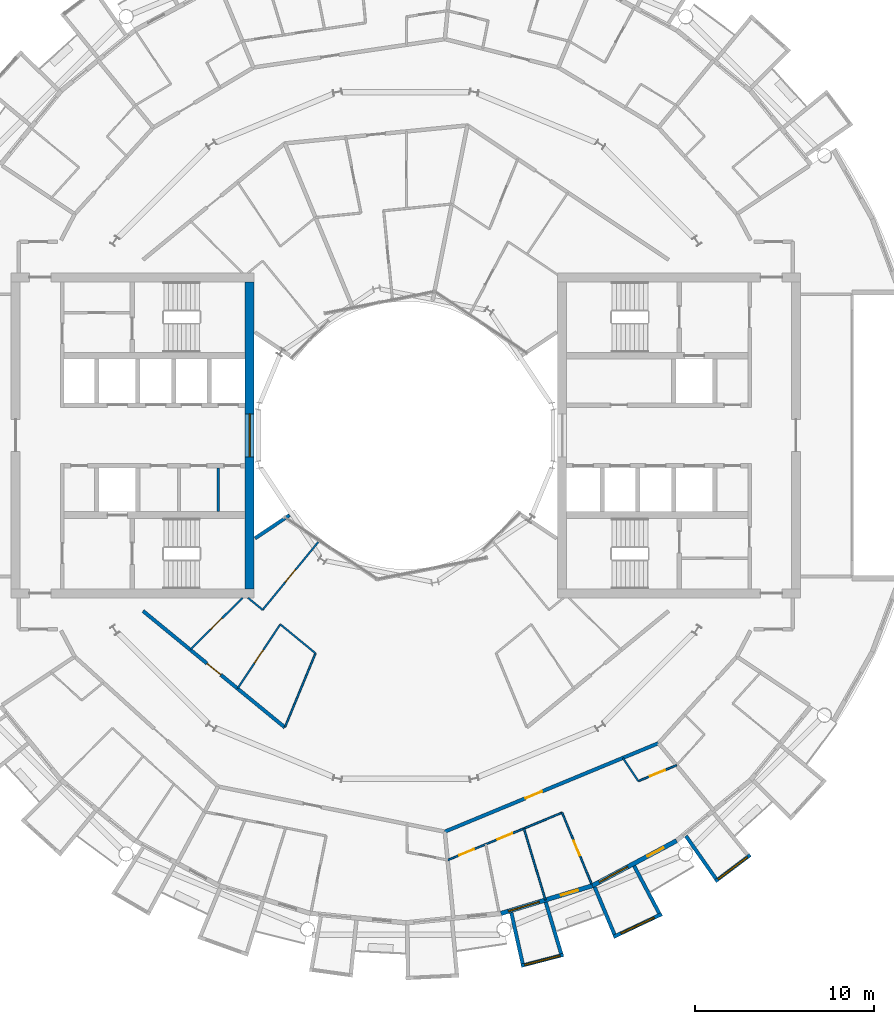
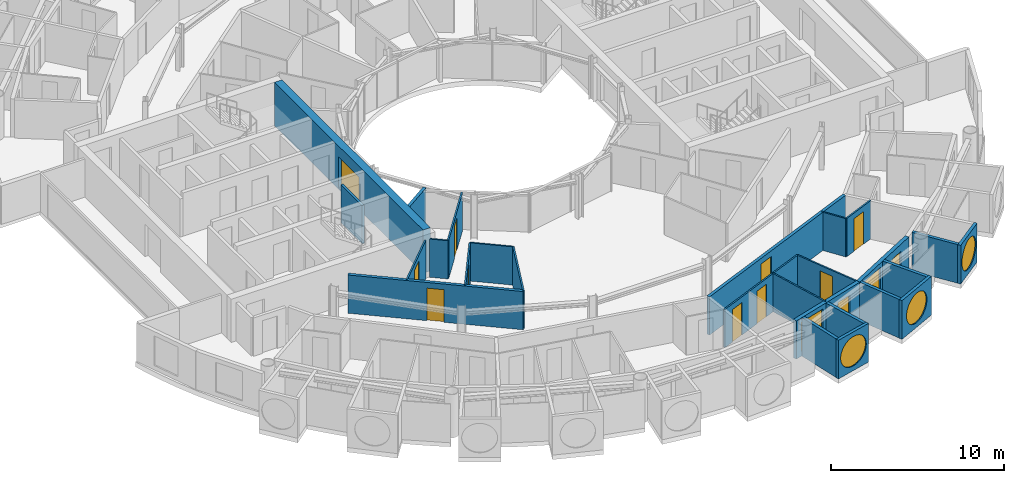
# One storey, part 16 of 27: 26 walls, 11 doors, 6 windows, 17 openings.
"""IFC4 building model written with IfcOpenShell, lengths in metres."""

from ifc_helpers import new_model, si_unit, direction, frame, frame_2d, origin, place, context, subcontext, project, spatial, rectangle, circle, extrude, material, layer, layer_set, type_object, element, fill, save


model = new_model("IFC4")

# Units and contexts
model_context = context("Model", 3, precision=1e-05, world=origin(), true_north=direction((0.0, 1.0)))
body_context = subcontext(model_context, "Body", "Model", "MODEL_VIEW")
ifc_project = project(units=[si_unit("LENGTHUNIT", "METRE"), si_unit("AREAUNIT", "SQUARE_METRE"), si_unit("VOLUMEUNIT", "CUBIC_METRE"), si_unit("PLANEANGLEUNIT", "RADIAN"), si_unit("MASSUNIT", "GRAM", prefix="KILO")], contexts=[model_context])

# Site, building, storey
site_placement = place(None, origin())
site = spatial("IfcSite", under=ifc_project, at=site_placement, CompositionType="ELEMENT")
building_placement = place(site_placement, origin())
building = spatial("IfcBuilding", under=site, at=building_placement, Name="Maasbend Ring Residences", CompositionType="ELEMENT")
storey_placement = place(building_placement, frame((0.0, 0.0, 148.25)))
storey = spatial("IfcBuildingStorey", under=building, at=storey_placement, Name="L42", CompositionType="ELEMENT", Elevation=148.25)

# Wall, opening, window
ifc_material_1 = material(Name="Concrete C60/75", Category="concrete")
ifc_layer_1 = layer(ifc_material_1, 0.5)
ifc_layer_set_1 = layer_set([ifc_layer_1], Name="Concrete C60/75")
wall_type_1 = type_object("IfcWallType", Name="CORE WALL 500 C60/75", PredefinedType="SHEAR", material=ifc_layer_set_1)
wall_1_placement = place(storey_placement, frame((-8.75, 8.60009765625, 0.0), z_axis=(0.0, 0.0, 1.0), x_axis=(0.0, -1.0, 0.0)))
wall_1 = element("IfcWall", 1, at=wall_1_placement, inside=storey, type_object=wall_type_1, Name="L42 core W wall PIN", PredefinedType="SHEAR", context=body_context, shape_type="SweptSolid", body=[
    extrude(rectangle(XDim=17.2001953125, YDim=0.5, at=frame_2d((8.60009765625, 0.0))), origin(), (0.0, 0.0, 1.0), 3.050048828125),
])
opening_1_placement = place(wall_1_placement, frame((7.39990234375, 0.0, 0.10009765625)))
opening_1 = element("IfcOpeningElement", 2, at=opening_1_placement, cuts=wall_1, Name="Opening W-W4201", PredefinedType="OPENING", context=body_context, shape_type="SweptSolid", body=[
    extrude(rectangle(XDim=2.39990234375, YDim=2.199951171875, at=frame_2d((1.199951171875, 1.10009765625))), frame((0.0, 0.260009765625, 0.0), z_axis=(0.0, -1.0, 0.0), x_axis=(1.0, 0.0, 0.0)), (0.0, 0.0, 1.0), 0.52001953125),
])
ifc_material_2 = material(Name="Aluminium frame and clear glass", Category="aluminium")
window_type_1 = type_object("IfcWindowType", Name="FIXED WINDOW 2400 X 2200", PartitioningType="SINGLE_PANEL", PredefinedType="WINDOW", material=ifc_material_2)
window_1_placement = place(opening_1_placement, origin())
window_1 = element("IfcWindow", 3, at=window_1_placement, inside=storey, type_object=window_type_1, Name="Lobby window L42", OverallHeight=2.199951171875, OverallWidth=2.39990234375, PartitioningType="SINGLE_PANEL", PredefinedType="WINDOW", context=body_context, shape_type="SweptSolid", body=[
    extrude(rectangle(XDim=2.39990234375, YDim=2.199951171875, at=frame_2d((1.199951171875, 1.10009765625))), frame((0.0, 0.030029296875, 0.0), z_axis=(0.0, -1.0, 0.0), x_axis=(1.0, 0.0, 0.0)), (0.0, 0.0, 1.0), 0.06005859375),
])
fill(opening_1, window_1)

# Wall, opening, door
ifc_material_3 = material(Name="Concrete C30/37", Category="concrete")
ifc_layer_2 = layer(ifc_material_3, 0.199951171875)
ifc_layer_set_2 = layer_set([ifc_layer_2], Name="Concrete C30/37")
wall_type_2 = type_object("IfcWallType", Name="CORRIDOR WALL 200 CONCRETE", PredefinedType="PARTITIONING", material=ifc_layer_set_2)
wall_2_placement = place(storey_placement, frame((2.18603515625, -22.193115234375, 0.0), z_axis=(0.0, 0.0, 1.0), x_axis=(0.923860535822, 0.382729291212, 0.0)))
wall_2 = element("IfcWall", 4, at=wall_2_placement, inside=storey, type_object=wall_type_2, Name="U-L42-w016", PredefinedType="PARTITIONING", context=body_context, shape_type="SweptSolid", body=[
    extrude(rectangle(XDim=12.94677734375, YDim=0.199951171875, at=frame_2d((6.473388671875, 0.0))), origin(), (0.0, 0.0, 1.0), 2.699951171875),
])
opening_2_placement = place(wall_2_placement, frame((4.89404296875, 0.0, 0.0)))
opening_2 = element("IfcOpeningElement", 5, at=opening_2_placement, cuts=wall_2, Name="Opening D-4243", PredefinedType="OPENING", context=body_context, shape_type="SweptSolid", body=[
    extrude(rectangle(XDim=1.0, YDim=2.300048828125, at=frame_2d((0.5, 1.14990234375))), frame((0.0, 0.10986328125, 0.0), z_axis=(0.0, -1.0, 0.0), x_axis=(1.0, 0.0, 0.0)), (0.0, 0.0, 1.0), 0.219970703125),
])
ifc_material_4 = material(Name="Timber, fire-rated, painted", Category="wood")
door_type_1 = type_object("IfcDoorType", Name="FLAT ENTRANCE DOOR 1000 X 2300 FIRE-RATED", OperationType="NOTDEFINED", PredefinedType="DOOR", material=ifc_material_4)
door_1_placement = place(opening_2_placement, origin())
door_1 = element("IfcDoor", 6, at=door_1_placement, inside=storey, type_object=door_type_1, Name="D-4243", OperationType="SINGLE_SWING_LEFT", OverallHeight=2.300048828125, OverallWidth=1.0, PredefinedType="DOOR", context=body_context, shape_type="SweptSolid", body=[
    extrude(rectangle(XDim=1.0, YDim=2.300048828125, at=frame_2d((0.5, 1.14990234375))), frame((0.0, 0.02490234375, 0.0), z_axis=(0.0, -1.0, 0.0), x_axis=(1.0, 0.0, 0.0)), (0.0, 0.0, 1.0), 0.050048828125),
])
fill(opening_2, door_1)

wall_3_placement = place(storey_placement, frame((-14.717041015625, -9.833984375, 0.0), z_axis=(0.0, 0.0, 1.0), x_axis=(0.773034536097, -0.634363938131, 0.0)))
wall_3 = element("IfcWall", 7, at=wall_3_placement, inside=storey, type_object=wall_type_2, Name="U-L42-w017", PredefinedType="PARTITIONING", context=body_context, shape_type="SweptSolid", body=[
    extrude(rectangle(XDim=10.276611328125, YDim=0.199951171875, at=frame_2d((5.13818359375, 0.0))), origin(), (0.0, 0.0, 1.0), 2.699951171875),
])
opening_3_placement = place(wall_3_placement, frame((4.637939453125, 0.0, 0.0)))
opening_3 = element("IfcOpeningElement", 8, at=opening_3_placement, cuts=wall_3, Name="Opening D-4251", PredefinedType="OPENING", context=body_context, shape_type="SweptSolid", body=[
    extrude(rectangle(XDim=1.0, YDim=2.300048828125, at=frame_2d((0.5, 1.14990234375))), frame((0.0, 0.10986328125, 0.0), z_axis=(0.0, -1.0, 0.0), x_axis=(1.0, 0.0, 0.0)), (0.0, 0.0, 1.0), 0.219970703125),
])
door_2_placement = place(opening_3_placement, origin())
door_2 = element("IfcDoor", 9, at=door_2_placement, inside=storey, type_object=door_type_1, Name="D-4251", OperationType="SINGLE_SWING_LEFT", OverallHeight=2.300048828125, OverallWidth=1.0, PredefinedType="DOOR", context=body_context, shape_type="SweptSolid", body=[
    extrude(rectangle(XDim=1.0, YDim=2.300048828125, at=frame_2d((0.5, 1.14990234375))), frame((0.0, 0.02490234375, 0.0), z_axis=(0.0, -1.0, 0.0), x_axis=(1.0, 0.0, 0.0)), (0.0, 0.0, 1.0), 0.050048828125),
])
fill(opening_3, door_2)

# Wall, opening, window
ifc_material_5 = material(Name="Pale anodised aluminium panel", Category="aluminium")
ifc_layer_3 = layer(ifc_material_5, 0.199951171875)
ifc_layer_set_3 = layer_set([ifc_layer_3], Name="EW-BOX")
wall_type_3 = type_object("IfcWallType", Name="EW-BOX", PredefinedType="SOLIDWALL", material=ifc_layer_set_3)
wall_4_placement = place(storey_placement, frame((6.4609375, -29.705078125, -0.030029296875), z_axis=(0.0, 0.0, 1.0), x_axis=(0.96789536872, 0.251353446784, 0.0)))
wall_4 = element("IfcWall", 10, at=wall_4_placement, inside=storey, type_object=wall_type_3, Name="Box front S13", PredefinedType="SOLIDWALL", context=body_context, shape_type="SweptSolid", body=[
    extrude(rectangle(XDim=2.44677734375, YDim=0.199951171875, at=frame_2d((1.223388671875, 0.0))), origin(), (0.0, 0.0, 1.0), 2.72998046875),
])
opening_4_placement = place(wall_4_placement, frame((0.182861328125, 0.0, 0.330078125)))
opening_4 = element("IfcOpeningElement", 11, at=opening_4_placement, cuts=wall_4, Name="Opening W-RD", PredefinedType="OPENING", context=body_context, shape_type="SweptSolid", body=[
    extrude(circle(Radius=1.0400390625, at=frame_2d((1.0400390625, 1.0400390625))), frame((0.0, 0.10986328125, 0.0), z_axis=(0.0, -1.0, 0.0), x_axis=(1.0, 0.0, 0.0)), (0.0, 0.0, 1.0), 0.219970703125),
])
ifc_material_6 = material(Name="Aluminium and clear glass", Category="aluminium")
window_type_2 = type_object("IfcWindowType", Name="W-RD", PartitioningType="SINGLE_PANEL", PredefinedType="WINDOW", material=ifc_material_6)
window_2_placement = place(opening_4_placement, origin())
window_2 = element("IfcWindow", 12, at=window_2_placement, inside=storey, type_object=window_type_2, Name="Round window S13", OverallHeight=2.080078125, OverallWidth=2.080078125, PartitioningType="SINGLE_PANEL", PredefinedType="WINDOW", context=body_context, shape_type="SweptSolid", body=[
    extrude(circle(Radius=1.0400390625, at=frame_2d((1.0400390625, 1.0400390625))), frame((0.0, 0.030029296875, 0.0), z_axis=(0.0, -1.0, 0.0), x_axis=(1.0, 0.0, 0.0)), (0.0, 0.0, 1.0), 0.06005859375),
])
fill(opening_4, window_2)

# Walls
wall_5_placement = place(storey_placement, frame((5.908935546875, -26.72900390625, -0.030029296875), z_axis=(0.0, 0.0, 1.0), x_axis=(0.216409053917, -0.976302781612, 0.0)))
element("IfcWall", 13, at=wall_5_placement, inside=storey, type_object=wall_type_3, Name="Box side wall S13 left", PredefinedType="SOLIDWALL", context=body_context, shape_type="SweptSolid", body=[
    extrude(rectangle(XDim=2.92529296875, YDim=0.199951171875, at=frame_2d((1.462646484375, 0.0))), origin(), (0.0, 0.0, 1.0), 2.72998046875),
])
wall_6_placement = place(storey_placement, frame((7.8369140625, -26.14404296875, -0.030029296875), z_axis=(0.0, 0.0, 1.0), x_axis=(0.287064767992, -0.957911174889, 0.0)))
element("IfcWall", 14, at=wall_6_placement, inside=storey, type_object=wall_type_3, Name="Box side wall S13 right", PredefinedType="SOLIDWALL", context=body_context, shape_type="SweptSolid", body=[
    extrude(rectangle(XDim=3.00634765625, YDim=0.199951171875, at=frame_2d((1.503173828125, 0.0))), origin(), (0.0, 0.0, 1.0), 2.72998046875),
])

# Wall, opening, window
wall_7_placement = place(storey_placement, frame((11.62890625, -28.087890625, -0.030029296875), z_axis=(0.0, 0.0, 1.0), x_axis=(0.904000060331, 0.427532327342, 0.0)))
wall_7 = element("IfcWall", 15, at=wall_7_placement, inside=storey, type_object=wall_type_3, Name="Box front S15", PredefinedType="SOLIDWALL", context=body_context, shape_type="SweptSolid", body=[
    extrude(rectangle(XDim=2.993408203125, YDim=0.199951171875, at=frame_2d((1.49658203125, 0.0))), origin(), (0.0, 0.0, 1.0), 2.72998046875),
])
opening_5_placement = place(wall_7_placement, frame((0.45654296875, 0.0, 0.330078125)))
opening_5 = element("IfcOpeningElement", 16, at=opening_5_placement, cuts=wall_7, Name="Opening W-RD", PredefinedType="OPENING", context=body_context, shape_type="SweptSolid", body=[
    extrude(circle(Radius=1.0400390625, at=frame_2d((1.0400390625, 1.0400390625))), frame((0.0, 0.10986328125, 0.0), z_axis=(0.0, -1.0, 0.0), x_axis=(1.0, 0.0, 0.0)), (0.0, 0.0, 1.0), 0.219970703125),
])
window_3_placement = place(opening_5_placement, origin())
window_3 = element("IfcWindow", 17, at=window_3_placement, inside=storey, type_object=window_type_2, Name="Round window S15", OverallHeight=2.080078125, OverallWidth=2.080078125, PartitioningType="SINGLE_PANEL", PredefinedType="WINDOW", context=body_context, shape_type="SweptSolid", body=[
    extrude(circle(Radius=1.0400390625, at=frame_2d((1.0400390625, 1.0400390625))), frame((0.0, 0.030029296875, 0.0), z_axis=(0.0, -1.0, 0.0), x_axis=(1.0, 0.0, 0.0)), (0.0, 0.0, 1.0), 0.06005859375),
])
fill(opening_5, window_3)

# Walls
wall_8_placement = place(storey_placement, frame((10.574951171875, -25.294921875, -0.030029296875), z_axis=(0.0, 0.0, 1.0), x_axis=(0.385697364644, -0.922625353492, 0.0)))
element("IfcWall", 18, at=wall_8_placement, inside=storey, type_object=wall_type_3, Name="Box side wall S15 left", PredefinedType="SOLIDWALL", context=body_context, shape_type="SweptSolid", body=[
    extrude(rectangle(XDim=2.88330078125, YDim=0.199951171875, at=frame_2d((1.441650390625, 0.0))), origin(), (0.0, 0.0, 1.0), 2.72998046875),
])
wall_9_placement = place(storey_placement, frame((12.787109375, -24.113037109375, -0.030029296875), z_axis=(0.0, 0.0, 1.0), x_axis=(0.468365282436, -0.883534924159, 0.0)))
element("IfcWall", 19, at=wall_9_placement, inside=storey, type_object=wall_type_3, Name="Box side wall S15 right", PredefinedType="SOLIDWALL", context=body_context, shape_type="SweptSolid", body=[
    extrude(rectangle(XDim=3.006103515625, YDim=0.199951171875, at=frame_2d((1.5029296875, 0.0))), origin(), (0.0, 0.0, 1.0), 2.72998046875),
])

# Wall, opening, window
wall_10_placement = place(storey_placement, frame((17.3369140625, -24.971923828125, -0.030029296875), z_axis=(0.0, 0.0, 1.0), x_axis=(0.797887588059, 0.602806268067, 0.0)))
wall_10 = element("IfcWall", 20, at=wall_10_placement, inside=storey, type_object=wall_type_3, Name="Box front S17", PredefinedType="SOLIDWALL", context=body_context, shape_type="SweptSolid", body=[
    extrude(rectangle(XDim=2.446533203125, YDim=0.199951171875, at=frame_2d((1.22314453125, 0.0))), origin(), (0.0, 0.0, 1.0), 2.72998046875),
])
opening_6_placement = place(wall_10_placement, frame((0.182861328125, 0.0, 0.330078125)))
opening_6 = element("IfcOpeningElement", 21, at=opening_6_placement, cuts=wall_10, Name="Opening W-RD", PredefinedType="OPENING", context=body_context, shape_type="SweptSolid", body=[
    extrude(circle(Radius=1.0400390625, at=frame_2d((1.0400390625, 1.0400390625))), frame((0.0, 0.10986328125, 0.0), z_axis=(0.0, -1.0, 0.0), x_axis=(1.0, 0.0, 0.0)), (0.0, 0.0, 1.0), 0.219970703125),
])
window_4_placement = place(opening_6_placement, origin())
window_4 = element("IfcWindow", 22, at=window_4_placement, inside=storey, type_object=window_type_2, Name="Round window S17", OverallHeight=2.080078125, OverallWidth=2.080078125, PartitioningType="SINGLE_PANEL", PredefinedType="WINDOW", context=body_context, shape_type="SweptSolid", body=[
    extrude(circle(Radius=1.0400390625, at=frame_2d((1.0400390625, 1.0400390625))), frame((0.0, 0.030029296875, 0.0), z_axis=(0.0, -1.0, 0.0), x_axis=(1.0, 0.0, 0.0)), (0.0, 0.0, 1.0), 0.06005859375),
])
fill(opening_6, window_4)

# Wall
wall_11_placement = place(storey_placement, frame((15.68798828125, -22.43310546875, -0.030029296875), z_axis=(0.0, 0.0, 1.0), x_axis=(0.573260687834, -0.819373043115, 0.0)))
element("IfcWall", 23, at=wall_11_placement, inside=storey, type_object=wall_type_3, Name="Box side wall S17 left", PredefinedType="SOLIDWALL", context=body_context, shape_type="SweptSolid", body=[
    extrude(rectangle(XDim=2.92529296875, YDim=0.199951171875, at=frame_2d((1.462646484375, 0.0))), origin(), (0.0, 0.0, 1.0), 2.72998046875),
])

# Wall, openings, door, window
ifc_material_7 = material(Name="Aluminium clad insulated panel", Category="aluminium")
ifc_layer_4 = layer(ifc_material_7, 0.25)
ifc_layer_set_4 = layer_set([ifc_layer_4], Name="EW-GL")
wall_type_4 = type_object("IfcWallType", Name="EW-GL", PredefinedType="SOLIDWALL", material=ifc_layer_set_4)
wall_12_placement = place(storey_placement, frame((5.325927734375, -26.77490234375, 0.0), z_axis=(0.0, 0.0, 1.0), x_axis=(0.956965678721, 0.290201119486, 0.0)))
wall_12 = element("IfcWall", 24, at=wall_12_placement, inside=storey, type_object=wall_type_4, Name="External wall S07", PredefinedType="SOLIDWALL", context=body_context, shape_type="SweptSolid", body=[
    extrude(rectangle(XDim=5.351318359375, YDim=0.25, at=frame_2d((2.67578125, 0.0))), origin(), (0.0, 0.0, 1.0), 2.699951171875),
])
opening_7_placement = place(wall_12_placement, frame((0.441162109375, 0.0, 0.300048828125)))
opening_7 = element("IfcOpeningElement", 25, at=opening_7_placement, cuts=wall_12, Name="Opening W-BX", PredefinedType="OPENING", context=body_context, shape_type="SweptSolid", body=[
    extrude(rectangle(XDim=1.800048828125, YDim=2.10009765625, at=frame_2d((0.89990234375, 1.050048828125))), frame((0.0, 0.135009765625, 0.0), z_axis=(0.0, -1.0, 0.0), x_axis=(1.0, 0.0, 0.0)), (0.0, 0.0, 1.0), 0.27001953125),
])
opening_8_placement = place(wall_12_placement, frame((3.510498046875, 0.0, 0.0)))
opening_8 = element("IfcOpeningElement", 26, at=opening_8_placement, cuts=wall_12, Name="Opening D-LG", PredefinedType="OPENING", context=body_context, shape_type="SweptSolid", body=[
    extrude(rectangle(XDim=1.0, YDim=2.199951171875, at=frame_2d((0.5, 1.10009765625))), frame((0.0, 0.135009765625, 0.0), z_axis=(0.0, -1.0, 0.0), x_axis=(1.0, 0.0, 0.0)), (0.0, 0.0, 1.0), 0.27001953125),
])
ifc_material_8 = material(Name="Aluminium and clear glass", Category="aluminium")
door_type_2 = type_object("IfcDoorType", Name="D-LG", OperationType="SINGLE_SWING_LEFT", PredefinedType="DOOR", material=ifc_material_8)
door_3_placement = place(opening_8_placement, origin())
door_3 = element("IfcDoor", 27, at=door_3_placement, inside=storey, type_object=door_type_2, Name="Loggia door S14", OperationType="SINGLE_SWING_LEFT", OverallHeight=2.199951171875, OverallWidth=1.0, PredefinedType="DOOR", context=body_context, shape_type="SweptSolid", body=[
    extrude(rectangle(XDim=1.0, YDim=2.199951171875, at=frame_2d((0.5, 1.10009765625))), frame((0.0, 0.02490234375, 0.0), z_axis=(0.0, -1.0, 0.0), x_axis=(1.0, 0.0, 0.0)), (0.0, 0.0, 1.0), 0.050048828125),
])
fill(opening_8, door_3)
ifc_material_9 = material(Name="Aluminium and clear glass", Category="aluminium")
window_type_3 = type_object("IfcWindowType", Name="W-BX", PartitioningType="DOUBLE_PANEL_VERTICAL", PredefinedType="WINDOW", material=ifc_material_9)
window_5_placement = place(opening_7_placement, origin())
window_5 = element("IfcWindow", 28, at=window_5_placement, inside=storey, type_object=window_type_3, Name="Window S13 room to box", OverallHeight=2.10009765625, OverallWidth=1.800048828125, PartitioningType="SINGLE_PANEL", PredefinedType="WINDOW", context=body_context, shape_type="SweptSolid", body=[
    extrude(rectangle(XDim=1.800048828125, YDim=2.10009765625, at=frame_2d((0.89990234375, 1.050048828125))), frame((0.0, 0.030029296875, 0.0), z_axis=(0.0, -1.0, 0.0), x_axis=(1.0, 0.0, 0.0)), (0.0, 0.0, 1.0), 0.06005859375),
])
fill(opening_7, window_5)

wall_13_placement = place(storey_placement, frame((10.447021484375, -25.221923828125, 0.0), z_axis=(0.0, 0.0, 1.0), x_axis=(0.881915646801, 0.471407246368, 0.0)))
wall_13 = element("IfcWall", 29, at=wall_13_placement, inside=storey, type_object=wall_type_4, Name="External wall S08", PredefinedType="SOLIDWALL", context=body_context, shape_type="SweptSolid", body=[
    extrude(rectangle(XDim=5.35205078125, YDim=0.25, at=frame_2d((2.676025390625, 0.0))), origin(), (0.0, 0.0, 1.0), 2.699951171875),
])
opening_9_placement = place(wall_13_placement, frame((0.441162109375, 0.0, 0.300048828125)))
opening_9 = element("IfcOpeningElement", 30, at=opening_9_placement, cuts=wall_13, Name="Opening W-BX", PredefinedType="OPENING", context=body_context, shape_type="SweptSolid", body=[
    extrude(rectangle(XDim=1.800048828125, YDim=2.10009765625, at=frame_2d((0.89990234375, 1.050048828125))), frame((0.0, 0.135009765625, 0.0), z_axis=(0.0, -1.0, 0.0), x_axis=(1.0, 0.0, 0.0)), (0.0, 0.0, 1.0), 0.27001953125),
])
opening_10_placement = place(wall_13_placement, frame((3.510498046875, 0.0, 0.0)))
opening_10 = element("IfcOpeningElement", 31, at=opening_10_placement, cuts=wall_13, Name="Opening D-LG", PredefinedType="OPENING", context=body_context, shape_type="SweptSolid", body=[
    extrude(rectangle(XDim=1.0, YDim=2.199951171875, at=frame_2d((0.5, 1.10009765625))), frame((0.0, 0.135009765625, 0.0), z_axis=(0.0, -1.0, 0.0), x_axis=(1.0, 0.0, 0.0)), (0.0, 0.0, 1.0), 0.27001953125),
])
door_4_placement = place(opening_10_placement, origin())
door_4 = element("IfcDoor", 32, at=door_4_placement, inside=storey, type_object=door_type_2, Name="Loggia door S16", OperationType="SINGLE_SWING_LEFT", OverallHeight=2.199951171875, OverallWidth=1.0, PredefinedType="DOOR", context=body_context, shape_type="SweptSolid", body=[
    extrude(rectangle(XDim=1.0, YDim=2.199951171875, at=frame_2d((0.5, 1.10009765625))), frame((0.0, 0.02490234375, 0.0), z_axis=(0.0, -1.0, 0.0), x_axis=(1.0, 0.0, 0.0)), (0.0, 0.0, 1.0), 0.050048828125),
])
fill(opening_10, door_4)
window_6_placement = place(opening_9_placement, origin())
window_6 = element("IfcWindow", 33, at=window_6_placement, inside=storey, type_object=window_type_3, Name="Window S15 room to box", OverallHeight=2.10009765625, OverallWidth=1.800048828125, PartitioningType="SINGLE_PANEL", PredefinedType="WINDOW", context=body_context, shape_type="SweptSolid", body=[
    extrude(rectangle(XDim=1.800048828125, YDim=2.10009765625, at=frame_2d((0.89990234375, 1.050048828125))), frame((0.0, 0.030029296875, 0.0), z_axis=(0.0, -1.0, 0.0), x_axis=(1.0, 0.0, 0.0)), (0.0, 0.0, 1.0), 0.06005859375),
])
fill(opening_9, window_6)

# Wall, openings, doors
ifc_material_10 = material(Name="Gypsum board on steel studs", Category="steel")
ifc_layer_5 = layer(ifc_material_10, 0.10009765625)
ifc_layer_set_5 = layer_set([ifc_layer_5], Name="PARTITION 100 GYPSUM")
wall_type_5 = type_object("IfcWallType", Name="PARTITION 100 GYPSUM", PredefinedType="PARTITIONING", material=ifc_layer_set_5)
wall_14_placement = place(storey_placement, frame((2.342041015625, -23.784912109375, 0.0), z_axis=(0.0, 0.0, 1.0), x_axis=(0.92388173557, 0.382678113667, 0.0)))
wall_14 = element("IfcWall", 34, at=wall_14_placement, inside=storey, type_object=wall_type_5, Name="U-L42-w007", PredefinedType="PARTITIONING", context=body_context, shape_type="SweptSolid", body=[
    extrude(rectangle(XDim=6.93798828125, YDim=0.10009765625, at=frame_2d((3.468994140625, 0.0))), origin(), (0.0, 0.0, 1.0), 2.699951171875),
])
opening_11_placement = place(wall_14_placement, frame((3.02099609375, 0.0, 0.0)))
opening_11 = element("IfcOpeningElement", 35, at=opening_11_placement, cuts=wall_14, Name="Opening D-4246", PredefinedType="OPENING", context=body_context, shape_type="SweptSolid", body=[
    extrude(rectangle(XDim=0.89990234375, YDim=2.300048828125, at=frame_2d((0.449951171875, 1.14990234375))), frame((0.0, 0.06005859375, 0.0), z_axis=(0.0, -1.0, 0.0), x_axis=(1.0, 0.0, 0.0)), (0.0, 0.0, 1.0), 0.1201171875),
])
opening_12_placement = place(wall_14_placement, frame((0.70703125, 0.0, 0.0)))
opening_12 = element("IfcOpeningElement", 36, at=opening_12_placement, cuts=wall_14, Name="Opening D-4247", PredefinedType="OPENING", context=body_context, shape_type="SweptSolid", body=[
    extrude(rectangle(XDim=0.89990234375, YDim=2.300048828125, at=frame_2d((0.449951171875, 1.14990234375))), frame((0.0, 0.06005859375, 0.0), z_axis=(0.0, -1.0, 0.0), x_axis=(1.0, 0.0, 0.0)), (0.0, 0.0, 1.0), 0.1201171875),
])
ifc_material_11 = material(Name="Timber, painted", Category="wood")
door_type_3 = type_object("IfcDoorType", Name="INTERNAL DOOR 900 X 2300", OperationType="NOTDEFINED", PredefinedType="DOOR", material=ifc_material_11)
door_5_placement = place(opening_11_placement, origin())
door_5 = element("IfcDoor", 37, at=door_5_placement, inside=storey, type_object=door_type_3, Name="D-4246", OperationType="SINGLE_SWING_RIGHT", OverallHeight=2.300048828125, OverallWidth=0.89990234375, PredefinedType="DOOR", context=body_context, shape_type="SweptSolid", body=[
    extrude(rectangle(XDim=0.89990234375, YDim=2.300048828125, at=frame_2d((0.449951171875, 1.14990234375))), frame((0.0, 0.02490234375, 0.0), z_axis=(0.0, -1.0, 0.0), x_axis=(1.0, 0.0, 0.0)), (0.0, 0.0, 1.0), 0.050048828125),
])
fill(opening_11, door_5)
door_6_placement = place(opening_12_placement, origin())
door_6 = element("IfcDoor", 38, at=door_6_placement, inside=storey, type_object=door_type_3, Name="D-4247", OperationType="SINGLE_SWING_LEFT", OverallHeight=2.300048828125, OverallWidth=0.89990234375, PredefinedType="DOOR", context=body_context, shape_type="SweptSolid", body=[
    extrude(rectangle(XDim=0.89990234375, YDim=2.300048828125, at=frame_2d((0.449951171875, 1.14990234375))), frame((0.0, 0.02490234375, 0.0), z_axis=(0.0, -1.0, 0.0), x_axis=(1.0, 0.0, 0.0)), (0.0, 0.0, 1.0), 0.050048828125),
])
fill(opening_12, door_6)

# Wall, opening, door
wall_15_placement = place(storey_placement, frame((13.028076171875, -19.35888671875, 0.0), z_axis=(0.0, 0.0, 1.0), x_axis=(0.92369108554, 0.383138067142, 0.0)))
wall_15 = element("IfcWall", 39, at=wall_15_placement, inside=storey, type_object=wall_type_5, Name="U-L42-w008", PredefinedType="PARTITIONING", context=body_context, shape_type="SweptSolid", body=[
    extrude(rectangle(XDim=2.3125, YDim=0.10009765625, at=frame_2d((1.15625, 0.0))), origin(), (0.0, 0.0, 1.0), 2.699951171875),
])
opening_13_placement = place(wall_15_placement, frame((0.702880859375, 0.0, 0.0)))
opening_13 = element("IfcOpeningElement", 40, at=opening_13_placement, cuts=wall_15, Name="Opening D-4244", PredefinedType="OPENING", context=body_context, shape_type="SweptSolid", body=[
    extrude(rectangle(XDim=0.89990234375, YDim=2.300048828125, at=frame_2d((0.449951171875, 1.14990234375))), frame((0.0, 0.06005859375, 0.0), z_axis=(0.0, -1.0, 0.0), x_axis=(1.0, 0.0, 0.0)), (0.0, 0.0, 1.0), 0.1201171875),
])
door_7_placement = place(opening_13_placement, origin())
door_7 = element("IfcDoor", 41, at=door_7_placement, inside=storey, type_object=door_type_3, Name="D-4244", OperationType="SINGLE_SWING_LEFT", OverallHeight=2.300048828125, OverallWidth=0.89990234375, PredefinedType="DOOR", context=body_context, shape_type="SweptSolid", body=[
    extrude(rectangle(XDim=0.89990234375, YDim=2.300048828125, at=frame_2d((0.449951171875, 1.14990234375))), frame((0.0, 0.02490234375, 0.0), z_axis=(0.0, -1.0, 0.0), x_axis=(1.0, 0.0, 0.0)), (0.0, 0.0, 1.0), 0.050048828125),
])
fill(opening_13, door_7)

# Walls
wall_16_placement = place(storey_placement, frame((-8.839111328125, -9.097900390625, 0.0), z_axis=(0.0, 0.0, 1.0), x_axis=(0.7731800648, -0.634186555673, 0.0)))
element("IfcWall", 42, at=wall_16_placement, inside=storey, type_object=wall_type_5, Name="U-L42-w019", PredefinedType="PARTITIONING", context=body_context, shape_type="SweptSolid", body=[
    extrude(rectangle(XDim=1.064453125, YDim=0.10009765625, at=frame_2d((0.5322265625, 0.0))), origin(), (0.0, 0.0, 1.0), 2.699951171875),
])
wall_17_placement = place(storey_placement, frame((-7.031005859375, -10.58203125, 0.0), z_axis=(0.0, 0.0, 1.0), x_axis=(0.772943675046, -0.634474645046, 0.0)))
element("IfcWall", 43, at=wall_17_placement, inside=storey, type_object=wall_type_5, Name="U-L42-w020", PredefinedType="PARTITIONING", context=body_context, shape_type="SweptSolid", body=[
    extrude(rectangle(XDim=2.556640625, YDim=0.10009765625, at=frame_2d((1.2783203125, 0.0))), origin(), (0.0, 0.0, 1.0), 2.699951171875),
])

# Wall, opening, door
wall_18_placement = place(storey_placement, frame((-12.069091796875, -12.007080078125, 0.0), z_axis=(0.0, 0.0, 1.0), x_axis=(0.708822693149, 0.705386695138, 0.0)))
wall_18 = element("IfcWall", 44, at=wall_18_placement, inside=storey, type_object=wall_type_5, Name="U-L42-w042", PredefinedType="PARTITIONING", context=body_context, shape_type="SweptSolid", body=[
    extrude(rectangle(XDim=4.12109375, YDim=0.10009765625, at=frame_2d((2.060546875, 0.0))), origin(), (0.0, 0.0, 1.0), 2.699951171875),
])
opening_14_placement = place(wall_18_placement, frame((1.611083984375, 0.0, 0.0)))
opening_14 = element("IfcOpeningElement", 45, at=opening_14_placement, cuts=wall_18, Name="Opening D-4253", PredefinedType="OPENING", context=body_context, shape_type="SweptSolid", body=[
    extrude(rectangle(XDim=0.89990234375, YDim=2.300048828125, at=frame_2d((0.449951171875, 1.14990234375))), frame((0.0, 0.06005859375, 0.0), z_axis=(0.0, -1.0, 0.0), x_axis=(1.0, 0.0, 0.0)), (0.0, 0.0, 1.0), 0.1201171875),
])
door_8_placement = place(opening_14_placement, origin())
door_8 = element("IfcDoor", 46, at=door_8_placement, inside=storey, type_object=door_type_3, Name="D-4253", OperationType="SINGLE_SWING_RIGHT", OverallHeight=2.300048828125, OverallWidth=0.89990234375, PredefinedType="DOOR", context=body_context, shape_type="SweptSolid", body=[
    extrude(rectangle(XDim=0.89990234375, YDim=2.300048828125, at=frame_2d((0.449951171875, 1.14990234375))), frame((0.0, 0.02490234375, 0.0), z_axis=(0.0, -1.0, 0.0), x_axis=(1.0, 0.0, 0.0)), (0.0, 0.0, 1.0), 0.050048828125),
])
fill(opening_14, door_8)

wall_19_placement = place(storey_placement, frame((-9.4208984375, -14.179931640625, 0.0), z_axis=(0.0, 0.0, 1.0), x_axis=(0.553303732327, 0.832979579457, 0.0)))
wall_19 = element("IfcWall", 47, at=wall_19_placement, inside=storey, type_object=wall_type_5, Name="U-L42-w046", PredefinedType="PARTITIONING", context=body_context, shape_type="SweptSolid", body=[
    extrude(rectangle(XDim=4.3193359375, YDim=0.10009765625, at=frame_2d((2.15966796875, 0.0))), origin(), (0.0, 0.0, 1.0), 2.699951171875),
])
opening_15_placement = place(wall_19_placement, frame((1.7099609375, 0.0, 0.0)))
opening_15 = element("IfcOpeningElement", 48, at=opening_15_placement, cuts=wall_19, Name="Opening D-4252", PredefinedType="OPENING", context=body_context, shape_type="SweptSolid", body=[
    extrude(rectangle(XDim=0.89990234375, YDim=2.300048828125, at=frame_2d((0.449951171875, 1.14990234375))), frame((0.0, 0.06005859375, 0.0), z_axis=(0.0, -1.0, 0.0), x_axis=(1.0, 0.0, 0.0)), (0.0, 0.0, 1.0), 0.1201171875),
])
door_9_placement = place(opening_15_placement, origin())
door_9 = element("IfcDoor", 49, at=door_9_placement, inside=storey, type_object=door_type_3, Name="D-4252", OperationType="SINGLE_SWING_RIGHT", OverallHeight=2.300048828125, OverallWidth=0.89990234375, PredefinedType="DOOR", context=body_context, shape_type="SweptSolid", body=[
    extrude(rectangle(XDim=0.89990234375, YDim=2.300048828125, at=frame_2d((0.449951171875, 1.14990234375))), frame((0.0, 0.02490234375, 0.0), z_axis=(0.0, -1.0, 0.0), x_axis=(1.0, 0.0, 0.0)), (0.0, 0.0, 1.0), 0.050048828125),
])
fill(opening_15, door_9)

wall_20_placement = place(storey_placement, frame((-8.01904296875, -9.77099609375, 0.0), z_axis=(0.0, 0.0, 1.0), x_axis=(0.634401778971, 0.773003481776, 0.0)))
wall_20 = element("IfcWall", 50, at=wall_20_placement, inside=storey, type_object=wall_type_5, Name="U-L42-w048", PredefinedType="PARTITIONING", context=body_context, shape_type="SweptSolid", body=[
    extrude(rectangle(XDim=4.919677734375, YDim=0.10009765625, at=frame_2d((2.4599609375, 0.0))), origin(), (0.0, 0.0, 1.0), 2.699951171875),
])
opening_16_placement = place(wall_20_placement, frame((2.010009765625, 0.0, 0.0)))
opening_16 = element("IfcOpeningElement", 51, at=opening_16_placement, cuts=wall_20, Name="Opening D-4254", PredefinedType="OPENING", context=body_context, shape_type="SweptSolid", body=[
    extrude(rectangle(XDim=0.89990234375, YDim=2.300048828125, at=frame_2d((0.449951171875, 1.14990234375))), frame((0.0, 0.06005859375, 0.0), z_axis=(0.0, -1.0, 0.0), x_axis=(1.0, 0.0, 0.0)), (0.0, 0.0, 1.0), 0.1201171875),
])
door_10_placement = place(opening_16_placement, origin())
door_10 = element("IfcDoor", 52, at=door_10_placement, inside=storey, type_object=door_type_3, Name="D-4254", OperationType="SINGLE_SWING_LEFT", OverallHeight=2.300048828125, OverallWidth=0.89990234375, PredefinedType="DOOR", context=body_context, shape_type="SweptSolid", body=[
    extrude(rectangle(XDim=0.89990234375, YDim=2.300048828125, at=frame_2d((0.449951171875, 1.14990234375))), frame((0.0, 0.02490234375, 0.0), z_axis=(0.0, -1.0, 0.0), x_axis=(1.0, 0.0, 0.0)), (0.0, 0.0, 1.0), 0.050048828125),
])
fill(opening_16, door_10)

# Wall
wall_21_placement = place(storey_placement, frame((6.615966796875, -22.014892578125, 0.0), z_axis=(0.0, 0.0, 1.0), x_axis=(0.287802539521, -0.957689771401, 0.0)))
element("IfcWall", 53, at=wall_21_placement, inside=storey, type_object=wall_type_5, Name="U-L42-w066", PredefinedType="PARTITIONING", context=body_context, shape_type="SweptSolid", body=[
    extrude(rectangle(XDim=4.187255859375, YDim=0.10009765625, at=frame_2d((2.09375, 0.0))), origin(), (0.0, 0.0, 1.0), 2.699951171875),
])

# Wall, opening, door
wall_22_placement = place(storey_placement, frame((8.751953125, -21.1298828125, 0.0), z_axis=(0.0, 0.0, 1.0), x_axis=(0.382689142274, -0.923877167369, 0.0)))
wall_22 = element("IfcWall", 54, at=wall_22_placement, inside=storey, type_object=wall_type_5, Name="U-L42-w071", PredefinedType="PARTITIONING", context=body_context, shape_type="SweptSolid", body=[
    extrude(rectangle(XDim=4.3037109375, YDim=0.10009765625, at=frame_2d((2.15185546875, 0.0))), origin(), (0.0, 0.0, 1.0), 2.699951171875),
])
opening_17_placement = place(wall_22_placement, frame((1.701904296875, 0.0, 0.0)))
opening_17 = element("IfcOpeningElement", 55, at=opening_17_placement, cuts=wall_22, Name="Opening D-4245", PredefinedType="OPENING", context=body_context, shape_type="SweptSolid", body=[
    extrude(rectangle(XDim=0.89990234375, YDim=2.300048828125, at=frame_2d((0.449951171875, 1.14990234375))), frame((0.0, 0.06005859375, 0.0), z_axis=(0.0, -1.0, 0.0), x_axis=(1.0, 0.0, 0.0)), (0.0, 0.0, 1.0), 0.1201171875),
])
door_11_placement = place(opening_17_placement, origin())
door_11 = element("IfcDoor", 56, at=door_11_placement, inside=storey, type_object=door_type_3, Name="D-4245", OperationType="SINGLE_SWING_RIGHT", OverallHeight=2.300048828125, OverallWidth=0.89990234375, PredefinedType="DOOR", context=body_context, shape_type="SweptSolid", body=[
    extrude(rectangle(XDim=0.89990234375, YDim=2.300048828125, at=frame_2d((0.449951171875, 1.14990234375))), frame((0.0, 0.02490234375, 0.0), z_axis=(0.0, -1.0, 0.0), x_axis=(1.0, 0.0, 0.0)), (0.0, 0.0, 1.0), 0.050048828125),
])
fill(opening_17, door_11)

# Walls
wall_23_placement = place(storey_placement, frame((12.153076171875, -18.06396484375, 0.0), z_axis=(0.0, 0.0, 1.0), x_axis=(0.558121913892, -0.829758958514, 0.0)))
element("IfcWall", 57, at=wall_23_placement, inside=storey, type_object=wall_type_5, Name="U-L42-w073", PredefinedType="PARTITIONING", context=body_context, shape_type="SweptSolid", body=[
    extrude(rectangle(XDim=1.56201171875, YDim=0.10009765625, at=frame_2d((0.781005859375, 0.0))), origin(), (0.0, 0.0, 1.0), 2.699951171875),
])
wall_24_placement = place(storey_placement, frame((-5.06298828125, -12.222900390625, 0.0), z_axis=(0.0, 0.0, 1.0), x_axis=(-0.382498794932, -0.923955990226, 0.0)))
element("IfcWall", 58, at=wall_24_placement, inside=storey, type_object=wall_type_5, Name="U-L42-w119", PredefinedType="PARTITIONING", context=body_context, shape_type="SweptSolid", body=[
    extrude(rectangle(XDim=4.449462890625, YDim=0.10009765625, at=frame_2d((2.224609375, 0.0))), origin(), (0.0, 0.0, 1.0), 2.699951171875),
])
ifc_material_12 = material(Name="Gypsum board on steel studs", Category="steel")
ifc_layer_6 = layer(ifc_material_12, 0.14990234375)
ifc_layer_set_6 = layer_set([ifc_layer_6], Name="PARTITION 150 EI 60")
wall_type_6 = type_object("IfcWallType", Name="PARTITION 150 EI 60", PredefinedType="PARTITIONING", material=ifc_layer_set_6)
wall_25_placement = place(storey_placement, frame((-10.5, -1.824951171875, 0.0), z_axis=(0.0, 0.0, 1.0), x_axis=(0.0, -1.0, 0.0)))
element("IfcWall", 59, at=wall_25_placement, inside=storey, type_object=wall_type_6, Name="L42 core W wall PRN1050", PredefinedType="PARTITIONING", context=body_context, shape_type="SweptSolid", body=[
    extrude(rectangle(XDim=2.449951171875, YDim=0.14990234375, at=frame_2d((1.22509765625, 0.0))), origin(), (0.0, 0.0, 1.0), 2.699951171875),
])
ifc_material_13 = material(Name="Concrete C30/37", Category="concrete")
ifc_layer_7 = layer(ifc_material_13, 0.199951171875)
ifc_layer_set_7 = layer_set([ifc_layer_7], Name="Concrete C30/37")
wall_type_7 = type_object("IfcWallType", Name="PARTY WALL 200 CONCRETE", PredefinedType="PARTITIONING", material=ifc_layer_set_7)
wall_26_placement = place(storey_placement, frame((-6.512939453125, -4.471923828125, 0.0), z_axis=(0.0, 0.0, 1.0), x_axis=(-0.83133816625, -0.555766905579, 0.0)))
element("IfcWall", 60, at=wall_26_placement, inside=storey, type_object=wall_type_7, Name="U-L42-w025", PredefinedType="PARTITIONING", context=body_context, shape_type="SweptSolid", body=[
    extrude(rectangle(XDim=2.322998046875, YDim=0.199951171875, at=frame_2d((1.16162109375, 0.0))), origin(), (0.0, 0.0, 1.0), 2.699951171875),
])

save(model, "model.ifc")
